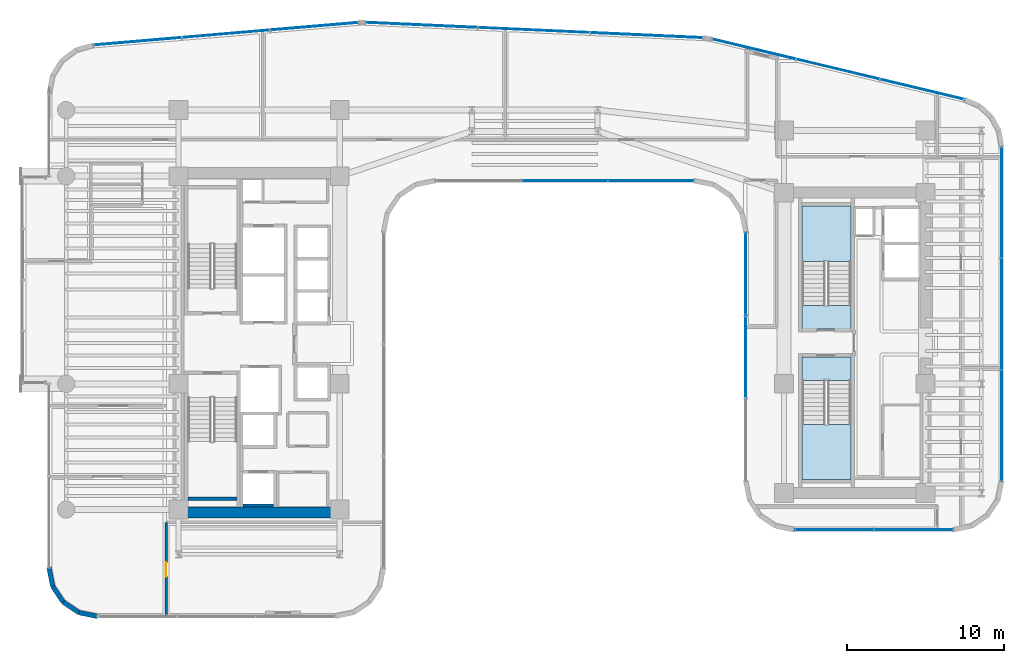
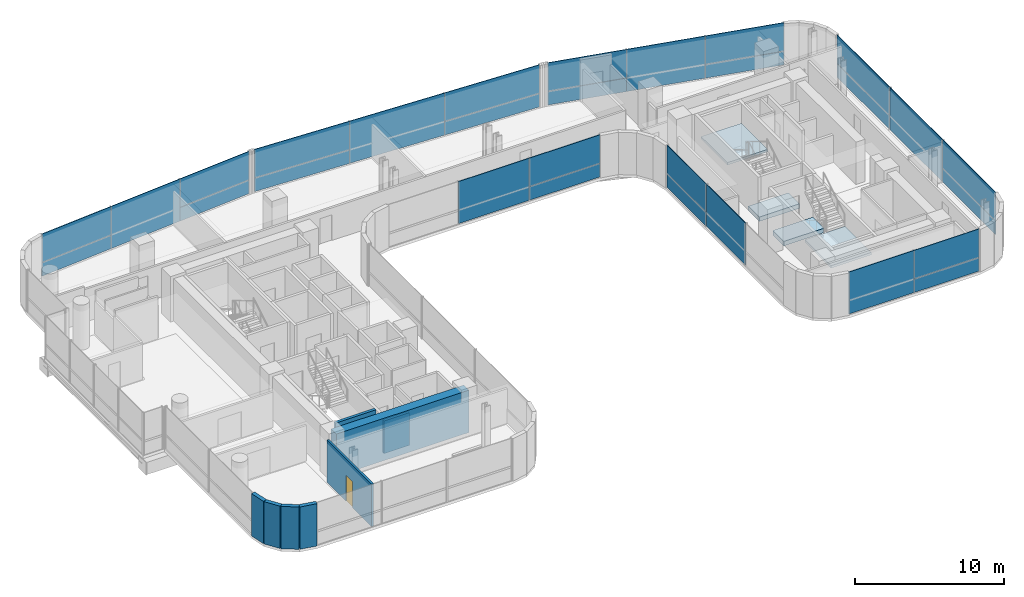
# One storey, part 25 of 34: 29 plates, 8 walls, 4 slabs, 1 door, 1 opening, 9 elements without a shape of their own.
"""IFC4 building model written with IfcOpenShell, lengths in metres."""

import ifcopenshell
import ifcopenshell.guid

model = None  # the IFC model being written
_history = None  # IfcOwnerHistory: only IFC2X3 demands one
_inside = {}  # id of a spatial element -> (the spatial element, [elements in it])
_under = {}  # id of a project, library or spatial element -> (it, [spatial elements below it])
_declared = {}  # id of a project -> (the project, [libraries it declares])
_typed = {}  # id of a type object -> (the type object, [elements of that type])
_made_of = {}  # id of a material, layer set ... -> (it, [elements and type objects made of it])


def new_model(schema):
    """Start an empty IFC model of exactly this schema.

    Asked for "IFC4X3", IfcOpenShell would pick the latest addendum, in which some entities
    have other attributes; the version numbers below select the first issue.
    IFC2X3 requires an IfcOwnerHistory on every rooted entity: one is made here for all.
    """
    global model, _history
    if schema == "IFC4X3":
        model = ifcopenshell.file(schema_version=(4, 3, 0, 0))
    else:
        model = ifcopenshell.file(schema=schema)
    _inside.clear()
    _under.clear()
    _declared.clear()
    _typed.clear()
    _made_of.clear()
    _history = None
    if model.schema == "IFC2X3":
        org = make("IfcOrganization", Name="unknown")
        user = make(
            "IfcPersonAndOrganization",
            ThePerson=make("IfcPerson", FamilyName="unknown"),
            TheOrganization=org,
        )
        app = make(
            "IfcApplication",
            ApplicationDeveloper=org,
            Version="unknown",
            ApplicationFullName="unknown",
            ApplicationIdentifier="unknown",
        )
        _history = make(
            "IfcOwnerHistory",
            OwningUser=user,
            OwningApplication=app,
            ChangeAction="ADDED",
            CreationDate=0,
        )
    return model


def make(cls, **values):
    """One entity of the class cls with the attributes given. An attribute that is None is left unset."""
    return model.create_entity(
        cls, **{name: value for name, value in values.items() if value is not None}
    )


def rooted(cls, **values):
    """An entity with a GlobalId (a new one), such as an element, a storey or a relation."""
    return make(cls, GlobalId=ifcopenshell.guid.new(), OwnerHistory=_history, **values)


def si_unit(unit_type, name, prefix=None):
    """IfcSIUnit, for example si_unit("LENGTHUNIT", "METRE", prefix="MILLI")."""
    return make("IfcSIUnit", UnitType=unit_type, Prefix=prefix, Name=name)


def assignment(units):
    """IfcUnitAssignment: the units of a project."""
    return None if units is None else make("IfcUnitAssignment", Units=units)


def point(xyz):
    """IfcCartesianPoint."""
    return None if xyz is None else make("IfcCartesianPoint", Coordinates=xyz)


def direction(xyz):
    """IfcDirection."""
    return None if xyz is None else make("IfcDirection", DirectionRatios=xyz)


def frame(location, z_axis=None, x_axis=None):
    """IfcAxis2Placement3D, a coordinate frame: its origin and axes. An axis left out is left unset."""
    return make(
        "IfcAxis2Placement3D",
        Location=point(location),
        Axis=direction(z_axis),
        RefDirection=direction(x_axis),
    )


def frame_2d(location, x_axis=None):
    """IfcAxis2Placement2D, a coordinate frame in the plane: its origin and x axis."""
    return make(
        "IfcAxis2Placement2D", Location=point(location), RefDirection=direction(x_axis)
    )


def origin():
    """The frame at (0, 0, 0) with its axes left unset."""
    return frame((0.0, 0.0, 0.0))


def origin_2d():
    """The frame at (0, 0) in the plane with its x axis left unset."""
    return frame_2d((0.0, 0.0))


def place(relative_to, where):
    """IfcLocalPlacement: puts the frame where relative to a parent placement (None: the world)."""
    return make(
        "IfcLocalPlacement", PlacementRelTo=relative_to, RelativePlacement=where
    )


def context(
    kind, dimensions, precision=None, world=None, true_north=None, identifier=None
):
    """IfcGeometricRepresentationContext, for example the 3D "Model" context."""
    return make(
        "IfcGeometricRepresentationContext",
        ContextIdentifier=identifier,
        ContextType=kind,
        CoordinateSpaceDimension=dimensions,
        Precision=precision,
        WorldCoordinateSystem=world,
        TrueNorth=true_north,
    )


def subcontext(parent, identifier, kind, view, scale=None):
    """IfcGeometricRepresentationSubContext, for example "Body" below "Model"."""
    return make(
        "IfcGeometricRepresentationSubContext",
        ContextIdentifier=identifier,
        ContextType=kind,
        ParentContext=parent,
        TargetScale=scale,
        TargetView=view,
    )


def project(units=None, contexts=None):
    """IfcProject with its units and contexts."""
    return rooted(
        "IfcProject",
        Name="project",
        RepresentationContexts=contexts,
        UnitsInContext=assignment(units),
    )


def spatial(cls, under=None, at=None, **own):
    """A site, building, storey or space (cls), placed at a placement, below another one or the project."""
    s = rooted(cls, ObjectPlacement=at, **own)
    if under is not None:
        _under.setdefault(under.id(), (under, []))[1].append(s)
    return s


def polyline(points):
    """IfcPolyline through the points."""
    return make("IfcPolyline", Points=[point(p) for p in points])


def profile(cls, at=None, kind="AREA", **sizes):
    """A parametric profile (cls). Its sizes go by their IFC names, for example OverallWidth=200.0."""
    return make(cls, ProfileType=kind, Position=at, **sizes)


def rectangle(**sizes):
    """IfcRectangleProfileDef."""
    return profile("IfcRectangleProfileDef", **sizes)


def outline(outer, holes=None, kind="AREA"):
    """IfcArbitraryClosedProfileDef: a profile drawn as a closed curve; with holes, ...WithVoids."""
    if holes is None:
        return make("IfcArbitraryClosedProfileDef", ProfileType=kind, OuterCurve=outer)
    return make(
        "IfcArbitraryProfileDefWithVoids",
        ProfileType=kind,
        OuterCurve=outer,
        InnerCurves=holes,
    )


def extrude(swept, where, along, depth):
    """IfcExtrudedAreaSolid: the profile swept, set in the frame where, extruded along a direction by depth."""
    return make(
        "IfcExtrudedAreaSolid",
        SweptArea=swept,
        Position=where,
        ExtrudedDirection=direction(along),
        Depth=depth,
    )


def shape(context_of_items, identifier, shape_type, items):
    """IfcShapeRepresentation: the items that make up one representation, for example the "Body"."""
    return make(
        "IfcShapeRepresentation",
        ContextOfItems=context_of_items,
        RepresentationIdentifier=identifier,
        RepresentationType=shape_type,
        Items=items,
    )


def source(mapping_origin, context_of_items, identifier, shape_type, items):
    """IfcRepresentationMap: a shape defined once, which mapped items show again and again."""
    return make(
        "IfcRepresentationMap",
        MappingOrigin=mapping_origin,
        MappedRepresentation=shape(context_of_items, identifier, shape_type, items),
    )


def transform(
    local_origin,
    x_axis=None,
    y_axis=None,
    z_axis=None,
    scale=None,
    scale2=None,
    scale3=None,
    uniform=True,
):
    """IfcCartesianTransformationOperator3D, or its non-uniform kind. x_axis, y_axis, z_axis: its Axis1, 2, 3."""
    if uniform:
        return make(
            "IfcCartesianTransformationOperator3D",
            Axis1=direction(x_axis),
            Axis2=direction(y_axis),
            LocalOrigin=point(local_origin),
            Scale=scale,
            Axis3=direction(z_axis),
        )
    return make(
        "IfcCartesianTransformationOperator3DnonUniform",
        Axis1=direction(x_axis),
        Axis2=direction(y_axis),
        LocalOrigin=point(local_origin),
        Scale=scale,
        Axis3=direction(z_axis),
        Scale2=scale2,
        Scale3=scale3,
    )


def mapped(mapping_source, mapping_target):
    """IfcMappedItem: shows the shape of a source again, moved by a transform."""
    return make(
        "IfcMappedItem", MappingSource=mapping_source, MappingTarget=mapping_target
    )


def material(Name=None, Category=None):
    """IfcMaterial."""
    return make("IfcMaterial", Name=Name, Category=Category)


def layer(
    of_material, thickness, ventilated=None, Name=None, Category=None, Priority=None
):
    """IfcMaterialLayer: one layer of a wall or slab, of a material (None: an air gap)."""
    return make(
        "IfcMaterialLayer",
        Material=of_material,
        LayerThickness=thickness,
        IsVentilated=ventilated,
        Name=Name,
        Category=Category,
        Priority=Priority,
    )


def layer_set(layers, Name=None):
    """IfcMaterialLayerSet."""
    return make("IfcMaterialLayerSet", MaterialLayers=layers, LayerSetName=Name)


def made_of(thing, what):
    """Note that an element or type object is made of a material, layer set ...; save() writes the relation."""
    if what is not None:
        _made_of.setdefault(what.id(), (what, []))[1].append(thing)
    return thing


def type_object(cls, material=None, **own):
    """A type object (cls), such as IfcWallType, which elements share."""
    return made_of(rooted(cls, **own), material)


def element(
    cls,
    number,
    at=None,
    inside=None,
    cuts=None,
    type_object=None,
    material=None,
    context=None,
    identifier="Body",
    shape_type=None,
    held_by="IfcProductDefinitionShape",
    body=None,
    shapes=None,
    **own,
):
    """One element of the class cls, such as IfcWall. Its Tag is "e" and its number.

    at: its placement. inside: the storey or other place that contains it. cuts: it is an
    opening in that element (IfcRelVoidsElement). A single representation is given by context,
    identifier, shape_type and body (its items); several are given by shapes. held_by: the class
    of the entity that holds the representations. save() writes the other relations.
    """
    e = rooted(cls, Tag="e%d" % number, ObjectPlacement=at, **own)
    if body is not None:
        shapes = [shape(context, identifier, shape_type, body)]
    if shapes is not None:
        e.Representation = make(held_by, Representations=shapes)
    if inside is not None:
        _inside.setdefault(inside.id(), (inside, []))[1].append(e)
    if cuts is not None:
        rooted(
            "IfcRelVoidsElement", RelatingBuildingElement=cuts, RelatedOpeningElement=e
        )
    if type_object is not None:
        _typed.setdefault(type_object.id(), (type_object, []))[1].append(e)
    return made_of(e, material)


def fill(opening, filler):
    """IfcRelFillsElement: the door or window that sits in an opening."""
    return rooted(
        "IfcRelFillsElement",
        RelatingOpeningElement=opening,
        RelatedBuildingElement=filler,
    )


def aggregate(whole, parts):
    """IfcRelAggregates: a whole, such as a stair, and the parts it consists of."""
    return rooted("IfcRelAggregates", RelatingObject=whole, RelatedObjects=parts)


def save(model, path):
    """Write the relations noted so far, then the file.

    IfcRelAggregates (storeys below a building ...), IfcRelContainedInSpatialStructure (elements
    in a storey), IfcRelDefinesByType, IfcRelAssociatesMaterial and IfcRelDeclares: one each for
    every whole, place, type object, material and project.
    """
    for whole, parts in _under.values():
        aggregate(whole, parts)
    for where, things in _inside.values():
        rooted(
            "IfcRelContainedInSpatialStructure",
            RelatedElements=things,
            RelatingStructure=where,
        )
    for kind, things in _typed.values():
        rooted("IfcRelDefinesByType", RelatedObjects=things, RelatingType=kind)
    for what, things in _made_of.values():
        rooted("IfcRelAssociatesMaterial", RelatedObjects=things, RelatingMaterial=what)
    for by, libraries in _declared.values():
        rooted("IfcRelDeclares", RelatingContext=by, RelatedDefinitions=libraries)
    model.write(path)


model = new_model("IFC4")

# Units and contexts
model_context = context("Model", 3, precision=1e-05, world=origin(), true_north=direction((0.0, 1.0)))
body_context = subcontext(model_context, "Body", "Model", "MODEL_VIEW")
ifc_project = project(units=[si_unit("LENGTHUNIT", "METRE"), si_unit("AREAUNIT", "SQUARE_METRE"), si_unit("VOLUMEUNIT", "CUBIC_METRE"), si_unit("PLANEANGLEUNIT", "RADIAN"), si_unit("MASSUNIT", "GRAM", prefix="KILO")], contexts=[model_context])

# Site, building, storey
site_placement = place(None, origin())
site = spatial("IfcSite", under=ifc_project, at=site_placement, CompositionType="ELEMENT")
building_placement = place(site_placement, origin())
building = spatial("IfcBuilding", under=site, at=building_placement, Name="Valdorenza Pilgrim Sanctuary Tower", CompositionType="ELEMENT")
storey_placement = place(building_placement, frame((0.0, 0.0, 142.699951171875)))
storey = spatial("IfcBuildingStorey", under=building, at=storey_placement, Name="L36", CompositionType="ELEMENT", Elevation=142.699951171875)

# Stair, slab
ifc_material_1 = material(Name="Concrete C40/50", Category="concrete")
stair_type = type_object("IfcStairType", Name="STR-DOG-CORE", PredefinedType="HALF_TURN_STAIR", material=ifc_material_1)
stair_1_placement = place(storey_placement, origin())
stair_1 = element("IfcStair", 1, at=stair_1_placement, inside=storey, type_object=stair_type, Name="L36 ST-B1", PredefinedType="HALF_TURN_STAIR")
ifc_layer_1 = layer(ifc_material_1, 0.199951171875, Name="Concrete C40/50")
ifc_layer_set_1 = layer_set([ifc_layer_1], Name="Concrete C40/50")
slab_type_1 = type_object("IfcSlabType", Name="SLAB-STL-200", PredefinedType="LANDING", material=ifc_layer_set_1)
slab_1_placement = place(storey_placement, frame((0.0, 0.0, 1.650146484375)))
slab_1 = element("IfcSlab", 2, at=slab_1_placement, type_object=slab_type_1, Name="ST-B1 landing 1", PredefinedType="LANDING", context=body_context, shape_type="SweptSolid", body=[
    extrude(outline(polyline([(20.110107421875, 5.179931640625), (20.110107421875, 8.699951171875), (17.0, 8.699951171875), (17.0, 5.179931640625), (20.110107421875, 5.179931640625)])), origin(), (0.0, 0.0, 1.0), 0.199951171875),
])
aggregate(stair_1, [slab_1])

stair_2_placement = place(storey_placement, origin())
stair_2 = element("IfcStair", 3, at=stair_2_placement, inside=storey, type_object=stair_type, Name="L36 ST-B2", PredefinedType="HALF_TURN_STAIR")
slab_2_placement = place(storey_placement, frame((0.0, 0.0, 1.650146484375)))
slab_2 = element("IfcSlab", 4, at=slab_2_placement, type_object=slab_type_1, Name="ST-B2 landing 1", PredefinedType="LANDING", context=body_context, shape_type="SweptSolid", body=[
    extrude(outline(polyline([(17.0, -5.179931640625), (17.0, -8.699951171875), (20.110107421875, -8.699951171875), (20.110107421875, -5.179931640625), (17.0, -5.179931640625)])), origin(), (0.0, 0.0, 1.0), 0.199951171875),
])
aggregate(stair_2, [slab_2])

# Slabs
ifc_material_2 = material(Name="Concrete C50/60", Category="concrete")
ifc_layer_2 = layer(ifc_material_2, 0.39990234375, Name="Concrete C50/60")
ifc_layer_set_2 = layer_set([ifc_layer_2], Name="Concrete C50/60")
slab_type_2 = type_object("IfcSlabType", Name="SLAB-TRF-400", PredefinedType="FLOOR", material=ifc_layer_set_2)
slab_3_placement = place(storey_placement, frame((0.0, 0.0, -0.35986328125)))
element("IfcSlab", 5, at=slab_3_placement, inside=storey, type_object=slab_type_2, Name="L36 ST-B1 Structural Stair Landing Bearing Slab", PredefinedType="FLOOR", context=body_context, shape_type="SweptSolid", body=[
    extrude(outline(polyline([(17.0, 0.89990234375), (20.110107421875, 0.89990234375), (20.110107421875, 2.385009765625), (17.0, 2.385009765625), (17.0, 0.89990234375)])), origin(), (0.0, 0.0, 1.0), 0.35986328125),
])
slab_4_placement = place(storey_placement, frame((0.0, 0.0, -0.35986328125)))
element("IfcSlab", 6, at=slab_4_placement, inside=storey, type_object=slab_type_2, Name="L36 ST-B2 Structural Stair Landing Bearing Slab", PredefinedType="FLOOR", context=body_context, shape_type="SweptSolid", body=[
    extrude(outline(polyline([(17.0, -2.385009765625), (20.110107421875, -2.385009765625), (20.110107421875, -0.89990234375), (17.0, -0.89990234375), (17.0, -2.385009765625)])), origin(), (0.0, 0.0, 1.0), 0.35986328125),
])

# Curtain wall, plates
ifc_material_3 = material(Name="Curtain-wall IGU glazing", Category="glass")
curtain_wall_type_1 = type_object("IfcCurtainWallType", Name="CW-SYS-02", PredefinedType="NOTDEFINED", material=ifc_material_3)
curtain_wall_1_placement = place(storey_placement, origin())
curtain_wall_1 = element("IfcCurtainWall", 7, at=curtain_wall_1_placement, inside=storey, type_object=curtain_wall_type_1, Name="L36 Curtain Wall CW-L36-1-36", PredefinedType="NOTDEFINED")
ifc_material_4 = material(Name="Honed travertine limestone", Category="masonry")
ifc_layer_3 = layer(ifc_material_4, 0.050048828125, Name="Honed travertine limestone")
ifc_layer_set_3 = layer_set([ifc_layer_3], Name="Honed travertine limestone")
plate_type_1 = type_object("IfcPlateType", Name="CW-SPN-TRV", PredefinedType="USERDEFINED", material=ifc_layer_set_3)
shared_shape_1 = source(origin(), body_context, "Body", "SweptSolid", [
    extrude(rectangle(XDim=5.453857421875, YDim=0.06005859375, at=origin_2d()), origin(), (0.0, 0.0, 1.0), 1.10009765625),
])
plate_1_placement = place(storey_placement, frame((7.373779296875, 10.31005859375, 0.010009765625), z_axis=(0.0, 0.0, 1.0), x_axis=(-1.0, 0.0, 0.0)))
plate_1 = element("IfcPlate", 8, at=plate_1_placement, type_object=plate_type_1, Name="CW-L36-1-36 Travertine Spandrel 1", ObjectType="SPANDREL", PredefinedType="USERDEFINED", context=body_context, shape_type="MappedRepresentation", body=[
    mapped(shared_shape_1, transform((0.0, 0.0, 0.0), x_axis=(1.0, 0.0, 0.0), y_axis=(0.0, 1.0, 0.0), z_axis=(0.0, 0.0, 1.0), scale=1.0)),
])
ifc_material_5 = material(Name="Ceramic-fritted low-E IGU glazing", Category="glass")
ifc_layer_4 = layer(ifc_material_5, 0.035888671875, Name="Ceramic-fritted low-E IGU glazing")
ifc_layer_set_4 = layer_set([ifc_layer_4], Name="Ceramic-fritted low-E IGU glazing")
plate_type_2 = type_object("IfcPlateType", Name="CW-GLZ-IGU", PredefinedType="USERDEFINED", material=ifc_layer_set_4)
shared_shape_2 = source(origin(), body_context, "Body", "SweptSolid", [
    extrude(rectangle(XDim=5.453857421875, YDim=0.050048828125, at=origin_2d()), origin(), (0.0, 0.0, 1.0), 2.320068359375),
])
plate_2_placement = place(storey_placement, frame((7.373779296875, 10.31005859375, 1.1298828125), z_axis=(0.0, 0.0, 1.0), x_axis=(-1.0, 0.0, 0.0)))
plate_2 = element("IfcPlate", 9, at=plate_2_placement, type_object=plate_type_2, Name="CW-L36-1-36 Facade Panel 1", ObjectType="GLAZING", PredefinedType="USERDEFINED", context=body_context, shape_type="MappedRepresentation", body=[
    mapped(shared_shape_2, transform((0.0, 0.0, 0.0), x_axis=(1.0, 0.0, 0.0), y_axis=(0.0, 1.0, 0.0), z_axis=(0.0, 0.0, 1.0), scale=1.0)),
])
shared_shape_3 = source(origin(), body_context, "Body", "SweptSolid", [
    extrude(rectangle(XDim=5.453857421875, YDim=0.050048828125, at=origin_2d()), origin(), (0.0, 0.0, 1.0), 3.43994140625),
])
plate_3_placement = place(storey_placement, frame((1.89990234375, 10.31005859375, 0.010009765625), z_axis=(0.0, 0.0, 1.0), x_axis=(-1.0, 0.0, 0.0)))
plate_3 = element("IfcPlate", 10, at=plate_3_placement, type_object=plate_type_2, Name="CW-L36-1-36 Full-Height Facade Panel 2", ObjectType="GLAZING", PredefinedType="USERDEFINED", context=body_context, shape_type="MappedRepresentation", body=[
    mapped(shared_shape_3, transform((0.0, 0.0, 0.0), x_axis=(1.0, 0.0, 0.0), y_axis=(0.0, 1.0, 0.0), z_axis=(0.0, 0.0, 1.0), scale=1.0)),
])
aggregate(curtain_wall_1, [plate_1, plate_2, plate_3])

curtain_wall_2_placement = place(storey_placement, origin())
curtain_wall_2 = element("IfcCurtainWall", 11, at=curtain_wall_2_placement, inside=storey, type_object=curtain_wall_type_1, Name="L36 Curtain Wall CW-L36-1-6", PredefinedType="NOTDEFINED")
shared_shape_4 = source(origin(), body_context, "Body", "SweptSolid", [
    extrude(rectangle(XDim=5.61767578125, YDim=0.06005859375, at=origin_2d()), origin(), (0.0, 0.0, 1.0), 1.10009765625),
])
plate_4_placement = place(storey_placement, frame((-25.242919921875, 19.178955078125, 0.010009765625), z_axis=(0.0, 0.0, 1.0), x_axis=(0.99640764237, 0.084686541006, 0.0)))
plate_4 = element("IfcPlate", 12, at=plate_4_placement, type_object=plate_type_1, Name="CW-L36-1-6 Travertine Spandrel 1", ObjectType="SPANDREL", PredefinedType="USERDEFINED", context=body_context, shape_type="MappedRepresentation", body=[
    mapped(shared_shape_4, transform((0.0, 0.0, 0.0), x_axis=(1.0, 0.0, 0.0), y_axis=(0.0, 1.0, 0.0), z_axis=(0.0, 0.0, 1.0), scale=1.0)),
])
plate_5_placement = place(storey_placement, frame((-14.008056640625, 20.1337890625, 0.010009765625), z_axis=(0.0, 0.0, 1.0), x_axis=(0.99640764237, 0.084686541006, 0.0)))
plate_5 = element("IfcPlate", 13, at=plate_5_placement, type_object=plate_type_1, Name="CW-L36-1-6 Travertine Spandrel 3", ObjectType="SPANDREL", PredefinedType="USERDEFINED", context=body_context, shape_type="MappedRepresentation", body=[
    mapped(shared_shape_4, transform((0.0, 0.0, 0.0), x_axis=(1.0, 0.0, 0.0), y_axis=(0.0, 1.0, 0.0), z_axis=(0.0, 0.0, 1.0), scale=1.0)),
])

curtain_wall_3_placement = place(storey_placement, origin())
curtain_wall_3 = element("IfcCurtainWall", 14, at=curtain_wall_3_placement, inside=storey, type_object=curtain_wall_type_1, Name="L36 Curtain Wall CW-L36-1-11", PredefinedType="NOTDEFINED")
shared_shape_5 = source(origin(), body_context, "Body", "SweptSolid", [
    extrude(rectangle(XDim=7.1494140625, YDim=0.06005859375, at=origin_2d()), origin(), (0.0, 0.0, 1.0), 1.10009765625),
])
plate_6_placement = place(storey_placement, frame((-7.21484375, 20.2177734375, 0.010009765625), z_axis=(0.0, 0.0, 1.0), x_axis=(0.998968193221, -0.045415294044, 0.0)))
plate_6 = element("IfcPlate", 15, at=plate_6_placement, type_object=plate_type_1, Name="CW-L36-1-11 Travertine Spandrel 1", ObjectType="SPANDREL", PredefinedType="USERDEFINED", context=body_context, shape_type="MappedRepresentation", body=[
    mapped(shared_shape_5, transform((0.0, 0.0, 0.0), x_axis=(1.0, 0.0, 0.0), y_axis=(0.0, 1.0, 0.0), z_axis=(0.0, 0.0, 1.0), scale=1.0)),
])
plate_7_placement = place(storey_placement, frame((7.10888671875, 19.56689453125, 0.010009765625), z_axis=(0.0, 0.0, 1.0), x_axis=(0.998968193221, -0.045415294044, 0.0)))
plate_7 = element("IfcPlate", 16, at=plate_7_placement, type_object=plate_type_1, Name="CW-L36-1-11 Travertine Spandrel 3", ObjectType="SPANDREL", PredefinedType="USERDEFINED", context=body_context, shape_type="MappedRepresentation", body=[
    mapped(shared_shape_5, transform((0.0, 0.0, 0.0), x_axis=(1.0, 0.0, 0.0), y_axis=(0.0, 1.0, 0.0), z_axis=(0.0, 0.0, 1.0), scale=1.0)),
])

curtain_wall_type_2 = type_object("IfcCurtainWallType", Name="CW-SYS-03", PredefinedType="NOTDEFINED", material=ifc_material_3)
curtain_wall_4_placement = place(storey_placement, origin())
curtain_wall_4 = element("IfcCurtainWall", 17, at=curtain_wall_4_placement, inside=storey, type_object=curtain_wall_type_2, Name="L36 Curtain Wall CW-L36-1-16", PredefinedType="NOTDEFINED")
shared_shape_6 = source(origin(), body_context, "Body", "SweptSolid", [
    extrude(rectangle(XDim=5.477294921875, YDim=0.06005859375, at=origin_2d()), origin(), (0.0, 0.0, 1.0), 1.10009765625),
])
plate_8_placement = place(storey_placement, frame((13.944580078125, 18.68212890625, 0.010009765625), z_axis=(0.0, 0.0, 1.0), x_axis=(0.972528596343, -0.232783438617, 0.0)))
plate_8 = element("IfcPlate", 18, at=plate_8_placement, type_object=plate_type_1, Name="CW-L36-1-16 Travertine Spandrel 1", ObjectType="SPANDREL", PredefinedType="USERDEFINED", context=body_context, shape_type="MappedRepresentation", body=[
    mapped(shared_shape_6, transform((0.0, 0.0, 0.0), x_axis=(1.0, 0.0, 0.0), y_axis=(0.0, 1.0, 0.0), z_axis=(0.0, 0.0, 1.0), scale=1.0)),
])
plate_9_placement = place(storey_placement, frame((24.63720703125, 16.122802734375, 0.010009765625), z_axis=(0.0, 0.0, 1.0), x_axis=(0.972528596343, -0.232783438617, 0.0)))
plate_9 = element("IfcPlate", 19, at=plate_9_placement, type_object=plate_type_1, Name="CW-L36-1-16 Travertine Spandrel 3", ObjectType="SPANDREL", PredefinedType="USERDEFINED", context=body_context, shape_type="MappedRepresentation", body=[
    mapped(shared_shape_6, transform((0.0, 0.0, 0.0), x_axis=(1.0, 0.0, 0.0), y_axis=(0.0, 1.0, 0.0), z_axis=(0.0, 0.0, 1.0), scale=1.0)),
])

curtain_wall_5_placement = place(storey_placement, origin())
curtain_wall_5 = element("IfcCurtainWall", 20, at=curtain_wall_5_placement, inside=storey, type_object=curtain_wall_type_2, Name="L36 Curtain Wall CW-L36-1-21", PredefinedType="NOTDEFINED")
shared_shape_7 = source(origin(), body_context, "Body", "SweptSolid", [
    extrude(rectangle(XDim=7.065185546875, YDim=0.06005859375, at=origin_2d()), origin(), (0.0, 0.0, 1.0), 1.10009765625),
])
plate_10_placement = place(storey_placement, frame((29.68994140625, 8.923828125, 0.010009765625), z_axis=(0.0, 0.0, 1.0), x_axis=(0.0, -1.0, 0.0)))
plate_10 = element("IfcPlate", 21, at=plate_10_placement, type_object=plate_type_1, Name="CW-L36-1-21 Travertine Spandrel 1", ObjectType="SPANDREL", PredefinedType="USERDEFINED", context=body_context, shape_type="MappedRepresentation", body=[
    mapped(shared_shape_7, transform((0.0, 0.0, 0.0), x_axis=(1.0, 0.0, 0.0), y_axis=(0.0, 1.0, 0.0), z_axis=(0.0, 0.0, 1.0), scale=1.0)),
])
plate_11_placement = place(storey_placement, frame((29.68994140625, -5.24658203125, 0.010009765625), z_axis=(0.0, 0.0, 1.0), x_axis=(0.0, -1.0, 0.0)))
plate_11 = element("IfcPlate", 22, at=plate_11_placement, type_object=plate_type_1, Name="CW-L36-1-21 Travertine Spandrel 3", ObjectType="SPANDREL", PredefinedType="USERDEFINED", context=body_context, shape_type="MappedRepresentation", body=[
    mapped(shared_shape_7, transform((0.0, 0.0, 0.0), x_axis=(1.0, 0.0, 0.0), y_axis=(0.0, 1.0, 0.0), z_axis=(0.0, 0.0, 1.0), scale=1.0)),
])

# Curtain wall, plate
curtain_wall_6_placement = place(storey_placement, origin())
curtain_wall_6 = element("IfcCurtainWall", 23, at=curtain_wall_6_placement, inside=storey, type_object=curtain_wall_type_2, Name="L36 Curtain Wall CW-L36-1-26", PredefinedType="NOTDEFINED")
shared_shape_8 = source(origin(), body_context, "Body", "SweptSolid", [
    extrude(rectangle(XDim=5.019287109375, YDim=0.06005859375, at=origin_2d()), origin(), (0.0, 0.0, 1.0), 1.10009765625),
])
plate_12_placement = place(storey_placement, frame((24.069580078125, -11.889892578125, 0.010009765625), z_axis=(0.0, 0.0, 1.0), x_axis=(-1.0, 0.0, 0.0)))
plate_12 = element("IfcPlate", 24, at=plate_12_placement, type_object=plate_type_1, Name="CW-L36-1-26 Travertine Spandrel 1", ObjectType="SPANDREL", PredefinedType="USERDEFINED", context=body_context, shape_type="MappedRepresentation", body=[
    mapped(shared_shape_8, transform((0.0, 0.0, 0.0), x_axis=(1.0, 0.0, 0.0), y_axis=(0.0, 1.0, 0.0), z_axis=(0.0, 0.0, 1.0), scale=1.0)),
])

curtain_wall_7_placement = place(storey_placement, origin())
curtain_wall_7 = element("IfcCurtainWall", 25, at=curtain_wall_7_placement, inside=storey, type_object=curtain_wall_type_2, Name="L36 Curtain Wall CW-L36-1-31", PredefinedType="NOTDEFINED")
shared_shape_9 = source(origin(), body_context, "Body", "SweptSolid", [
    extrude(rectangle(XDim=5.24658203125, YDim=0.06005859375, at=origin_2d()), origin(), (0.0, 0.0, 1.0), 1.10009765625),
])
plate_13_placement = place(storey_placement, frame((13.409912109375, 4.37744140625, 0.010009765625), z_axis=(0.0, 0.0, 1.0), x_axis=(0.0, 1.0, 0.0)))
plate_13 = element("IfcPlate", 26, at=plate_13_placement, type_object=plate_type_1, Name="CW-L36-1-31 Travertine Spandrel 3", ObjectType="SPANDREL", PredefinedType="USERDEFINED", context=body_context, shape_type="MappedRepresentation", body=[
    mapped(shared_shape_9, transform((0.0, 0.0, 0.0), x_axis=(1.0, 0.0, 0.0), y_axis=(0.0, 1.0, 0.0), z_axis=(0.0, 0.0, 1.0), scale=1.0)),
])

# Plate
shared_shape_10 = source(origin(), body_context, "Body", "SweptSolid", [
    extrude(rectangle(XDim=5.61767578125, YDim=0.050048828125, at=origin_2d()), origin(), (0.0, 0.0, 1.0), 3.43994140625),
])
plate_14_placement = place(storey_placement, frame((-19.62548828125, 19.656494140625, 0.010009765625), z_axis=(0.0, 0.0, 1.0), x_axis=(0.99640764237, 0.084686541006, 0.0)))
plate_14 = element("IfcPlate", 27, at=plate_14_placement, type_object=plate_type_2, Name="CW-L36-1-6 Full-Height Facade Panel 2", ObjectType="GLAZING", PredefinedType="USERDEFINED", context=body_context, shape_type="MappedRepresentation", body=[
    mapped(shared_shape_10, transform((0.0, 0.0, 0.0), x_axis=(1.0, 0.0, 0.0), y_axis=(0.0, 1.0, 0.0), z_axis=(0.0, 0.0, 1.0), scale=1.0)),
])

shared_shape_11 = source(origin(), body_context, "Body", "SweptSolid", [
    extrude(rectangle(XDim=5.61767578125, YDim=0.050048828125, at=origin_2d()), origin(), (0.0, 0.0, 1.0), 2.320068359375),
])
plate_15_placement = place(storey_placement, frame((-25.242919921875, 19.178955078125, 1.1298828125), z_axis=(0.0, 0.0, 1.0), x_axis=(0.99640764237, 0.084686541006, 0.0)))
plate_15 = element("IfcPlate", 28, at=plate_15_placement, type_object=plate_type_2, Name="CW-L36-1-6 Facade Panel 1", ObjectType="GLAZING", PredefinedType="USERDEFINED", context=body_context, shape_type="MappedRepresentation", body=[
    mapped(shared_shape_11, transform((0.0, 0.0, 0.0), x_axis=(1.0, 0.0, 0.0), y_axis=(0.0, 1.0, 0.0), z_axis=(0.0, 0.0, 1.0), scale=1.0)),
])

plate_16_placement = place(storey_placement, frame((-14.008056640625, 20.1337890625, 1.1298828125), z_axis=(0.0, 0.0, 1.0), x_axis=(0.99640764237, 0.084686541006, 0.0)))
plate_16 = element("IfcPlate", 29, at=plate_16_placement, type_object=plate_type_2, Name="CW-L36-1-6 Facade Panel 3", ObjectType="GLAZING", PredefinedType="USERDEFINED", context=body_context, shape_type="MappedRepresentation", body=[
    mapped(shared_shape_11, transform((0.0, 0.0, 0.0), x_axis=(1.0, 0.0, 0.0), y_axis=(0.0, 1.0, 0.0), z_axis=(0.0, 0.0, 1.0), scale=1.0)),
])

aggregate(curtain_wall_2, [plate_4, plate_15, plate_14, plate_5, plate_16])

shared_shape_12 = source(origin(), body_context, "Body", "SweptSolid", [
    extrude(rectangle(XDim=7.1494140625, YDim=0.050048828125, at=origin_2d()), origin(), (0.0, 0.0, 1.0), 3.43994140625),
])
plate_17_placement = place(storey_placement, frame((-0.052978515625, 19.892333984375, 0.010009765625), z_axis=(0.0, 0.0, 1.0), x_axis=(0.998968193221, -0.045415294044, 0.0)))
plate_17 = element("IfcPlate", 30, at=plate_17_placement, type_object=plate_type_2, Name="CW-L36-1-11 Full-Height Facade Panel 2", ObjectType="GLAZING", PredefinedType="USERDEFINED", context=body_context, shape_type="MappedRepresentation", body=[
    mapped(shared_shape_12, transform((0.0, 0.0, 0.0), x_axis=(1.0, 0.0, 0.0), y_axis=(0.0, 1.0, 0.0), z_axis=(0.0, 0.0, 1.0), scale=1.0)),
])

shared_shape_13 = source(origin(), body_context, "Body", "SweptSolid", [
    extrude(rectangle(XDim=7.1494140625, YDim=0.050048828125, at=origin_2d()), origin(), (0.0, 0.0, 1.0), 2.320068359375),
])
plate_18_placement = place(storey_placement, frame((-7.21484375, 20.2177734375, 1.1298828125), z_axis=(0.0, 0.0, 1.0), x_axis=(0.998968193221, -0.045415294044, 0.0)))
plate_18 = element("IfcPlate", 31, at=plate_18_placement, type_object=plate_type_2, Name="CW-L36-1-11 Facade Panel 1", ObjectType="GLAZING", PredefinedType="USERDEFINED", context=body_context, shape_type="MappedRepresentation", body=[
    mapped(shared_shape_13, transform((0.0, 0.0, 0.0), x_axis=(1.0, 0.0, 0.0), y_axis=(0.0, 1.0, 0.0), z_axis=(0.0, 0.0, 1.0), scale=1.0)),
])

plate_19_placement = place(storey_placement, frame((7.10888671875, 19.56689453125, 1.1298828125), z_axis=(0.0, 0.0, 1.0), x_axis=(0.998968193221, -0.045415294044, 0.0)))
plate_19 = element("IfcPlate", 32, at=plate_19_placement, type_object=plate_type_2, Name="CW-L36-1-11 Facade Panel 3", ObjectType="GLAZING", PredefinedType="USERDEFINED", context=body_context, shape_type="MappedRepresentation", body=[
    mapped(shared_shape_13, transform((0.0, 0.0, 0.0), x_axis=(1.0, 0.0, 0.0), y_axis=(0.0, 1.0, 0.0), z_axis=(0.0, 0.0, 1.0), scale=1.0)),
])

aggregate(curtain_wall_3, [plate_6, plate_18, plate_17, plate_7, plate_19])

shared_shape_14 = source(origin(), body_context, "Body", "SweptSolid", [
    extrude(rectangle(XDim=5.477294921875, YDim=0.050048828125, at=origin_2d()), origin(), (0.0, 0.0, 1.0), 3.43994140625),
])
plate_20_placement = place(storey_placement, frame((19.291015625, 17.40234375, 0.010009765625), z_axis=(0.0, 0.0, 1.0), x_axis=(0.972528596343, -0.232783438617, 0.0)))
plate_20 = element("IfcPlate", 33, at=plate_20_placement, type_object=plate_type_2, Name="CW-L36-1-16 Full-Height Facade Panel 2", ObjectType="GLAZING", PredefinedType="USERDEFINED", context=body_context, shape_type="MappedRepresentation", body=[
    mapped(shared_shape_14, transform((0.0, 0.0, 0.0), x_axis=(1.0, 0.0, 0.0), y_axis=(0.0, 1.0, 0.0), z_axis=(0.0, 0.0, 1.0), scale=1.0)),
])

shared_shape_15 = source(origin(), body_context, "Body", "SweptSolid", [
    extrude(rectangle(XDim=5.477294921875, YDim=0.050048828125, at=origin_2d()), origin(), (0.0, 0.0, 1.0), 2.320068359375),
])
plate_21_placement = place(storey_placement, frame((13.944580078125, 18.68212890625, 1.1298828125), z_axis=(0.0, 0.0, 1.0), x_axis=(0.972528596343, -0.232783438617, 0.0)))
plate_21 = element("IfcPlate", 34, at=plate_21_placement, type_object=plate_type_2, Name="CW-L36-1-16 Facade Panel 1", ObjectType="GLAZING", PredefinedType="USERDEFINED", context=body_context, shape_type="MappedRepresentation", body=[
    mapped(shared_shape_15, transform((0.0, 0.0, 0.0), x_axis=(1.0, 0.0, 0.0), y_axis=(0.0, 1.0, 0.0), z_axis=(0.0, 0.0, 1.0), scale=1.0)),
])

plate_22_placement = place(storey_placement, frame((24.63720703125, 16.122802734375, 1.1298828125), z_axis=(0.0, 0.0, 1.0), x_axis=(0.972528596343, -0.232783438617, 0.0)))
plate_22 = element("IfcPlate", 35, at=plate_22_placement, type_object=plate_type_2, Name="CW-L36-1-16 Facade Panel 3", ObjectType="GLAZING", PredefinedType="USERDEFINED", context=body_context, shape_type="MappedRepresentation", body=[
    mapped(shared_shape_15, transform((0.0, 0.0, 0.0), x_axis=(1.0, 0.0, 0.0), y_axis=(0.0, 1.0, 0.0), z_axis=(0.0, 0.0, 1.0), scale=1.0)),
])

aggregate(curtain_wall_4, [plate_8, plate_21, plate_20, plate_9, plate_22])

shared_shape_16 = source(origin(), body_context, "Body", "SweptSolid", [
    extrude(rectangle(XDim=7.065185546875, YDim=0.050048828125, at=origin_2d()), origin(), (0.0, 0.0, 1.0), 2.320068359375),
])
plate_23_placement = place(storey_placement, frame((29.68994140625, 8.923828125, 1.1298828125), z_axis=(0.0, 0.0, 1.0), x_axis=(0.0, -1.0, 0.0)))
plate_23 = element("IfcPlate", 36, at=plate_23_placement, type_object=plate_type_2, Name="CW-L36-1-21 Facade Panel 1", ObjectType="GLAZING", PredefinedType="USERDEFINED", context=body_context, shape_type="MappedRepresentation", body=[
    mapped(shared_shape_16, transform((0.0, 0.0, 0.0), x_axis=(1.0, 0.0, 0.0), y_axis=(0.0, 1.0, 0.0), z_axis=(0.0, 0.0, 1.0), scale=1.0)),
])

plate_24_placement = place(storey_placement, frame((29.68994140625, -5.24658203125, 1.1298828125), z_axis=(0.0, 0.0, 1.0), x_axis=(0.0, -1.0, 0.0)))
plate_24 = element("IfcPlate", 37, at=plate_24_placement, type_object=plate_type_2, Name="CW-L36-1-21 Facade Panel 3", ObjectType="GLAZING", PredefinedType="USERDEFINED", context=body_context, shape_type="MappedRepresentation", body=[
    mapped(shared_shape_16, transform((0.0, 0.0, 0.0), x_axis=(1.0, 0.0, 0.0), y_axis=(0.0, 1.0, 0.0), z_axis=(0.0, 0.0, 1.0), scale=1.0)),
])

shared_shape_17 = source(origin(), body_context, "Body", "SweptSolid", [
    extrude(rectangle(XDim=7.065185546875, YDim=0.050048828125, at=origin_2d()), origin(), (0.0, 0.0, 1.0), 3.43994140625),
])
plate_25_placement = place(storey_placement, frame((29.68994140625, 1.838623046875, 0.010009765625), z_axis=(0.0, 0.0, 1.0), x_axis=(0.0, -1.0, 0.0)))
plate_25 = element("IfcPlate", 38, at=plate_25_placement, type_object=plate_type_2, Name="CW-L36-1-21 Full-Height Facade Panel 2", ObjectType="GLAZING", PredefinedType="USERDEFINED", context=body_context, shape_type="MappedRepresentation", body=[
    mapped(shared_shape_17, transform((0.0, 0.0, 0.0), x_axis=(1.0, 0.0, 0.0), y_axis=(0.0, 1.0, 0.0), z_axis=(0.0, 0.0, 1.0), scale=1.0)),
])

aggregate(curtain_wall_5, [plate_10, plate_23, plate_25, plate_11, plate_24])

shared_shape_18 = source(origin(), body_context, "Body", "SweptSolid", [
    extrude(rectangle(XDim=5.019287109375, YDim=0.050048828125, at=origin_2d()), origin(), (0.0, 0.0, 1.0), 2.320068359375),
])
plate_26_placement = place(storey_placement, frame((24.069580078125, -11.889892578125, 1.1298828125), z_axis=(0.0, 0.0, 1.0), x_axis=(-1.0, 0.0, 0.0)))
plate_26 = element("IfcPlate", 39, at=plate_26_placement, type_object=plate_type_2, Name="CW-L36-1-26 Facade Panel 1", ObjectType="GLAZING", PredefinedType="USERDEFINED", context=body_context, shape_type="MappedRepresentation", body=[
    mapped(shared_shape_18, transform((0.0, 0.0, 0.0), x_axis=(1.0, 0.0, 0.0), y_axis=(0.0, 1.0, 0.0), z_axis=(0.0, 0.0, 1.0), scale=1.0)),
])

shared_shape_19 = source(origin(), body_context, "Body", "SweptSolid", [
    extrude(rectangle(XDim=5.019287109375, YDim=0.050048828125, at=origin_2d()), origin(), (0.0, 0.0, 1.0), 3.43994140625),
])
plate_27_placement = place(storey_placement, frame((19.030517578125, -11.889892578125, 0.010009765625), z_axis=(0.0, 0.0, 1.0), x_axis=(-1.0, 0.0, 0.0)))
plate_27 = element("IfcPlate", 40, at=plate_27_placement, type_object=plate_type_2, Name="CW-L36-1-26 Full-Height Facade Panel 2", ObjectType="GLAZING", PredefinedType="USERDEFINED", context=body_context, shape_type="MappedRepresentation", body=[
    mapped(shared_shape_19, transform((0.0, 0.0, 0.0), x_axis=(1.0, 0.0, 0.0), y_axis=(0.0, 1.0, 0.0), z_axis=(0.0, 0.0, 1.0), scale=1.0)),
])

aggregate(curtain_wall_6, [plate_12, plate_26, plate_27])

shared_shape_20 = source(origin(), body_context, "Body", "SweptSolid", [
    extrude(rectangle(XDim=5.24658203125, YDim=0.050048828125, at=origin_2d()), origin(), (0.0, 0.0, 1.0), 2.320068359375),
])
plate_28_placement = place(storey_placement, frame((13.409912109375, 4.37744140625, 1.1298828125), z_axis=(0.0, 0.0, 1.0), x_axis=(0.0, 1.0, 0.0)))
plate_28 = element("IfcPlate", 41, at=plate_28_placement, type_object=plate_type_2, Name="CW-L36-1-31 Facade Panel 3", ObjectType="GLAZING", PredefinedType="USERDEFINED", context=body_context, shape_type="MappedRepresentation", body=[
    mapped(shared_shape_20, transform((0.0, 0.0, 0.0), x_axis=(1.0, 0.0, 0.0), y_axis=(0.0, 1.0, 0.0), z_axis=(0.0, 0.0, 1.0), scale=1.0)),
])

shared_shape_21 = source(origin(), body_context, "Body", "SweptSolid", [
    extrude(rectangle(XDim=5.24658203125, YDim=0.050048828125, at=origin_2d()), origin(), (0.0, 0.0, 1.0), 3.43994140625),
])
plate_29_placement = place(storey_placement, frame((13.409912109375, -0.88916015625, 0.010009765625), z_axis=(0.0, 0.0, 1.0), x_axis=(0.0, 1.0, 0.0)))
plate_29 = element("IfcPlate", 42, at=plate_29_placement, type_object=plate_type_2, Name="CW-L36-1-31 Full-Height Facade Panel 2", ObjectType="GLAZING", PredefinedType="USERDEFINED", context=body_context, shape_type="MappedRepresentation", body=[
    mapped(shared_shape_21, transform((0.0, 0.0, 0.0), x_axis=(1.0, 0.0, 0.0), y_axis=(0.0, 1.0, 0.0), z_axis=(0.0, 0.0, 1.0), scale=1.0)),
])

aggregate(curtain_wall_7, [plate_29, plate_13, plate_28])

# Wall, opening, door
ifc_material_6 = material(Name="Acoustic twin-stud gypsum partition", Category="gypsum")
ifc_layer_5 = layer(ifc_material_6, 0.159912109375, Name="Acoustic twin-stud gypsum partition")
ifc_layer_set_5 = layer_set([ifc_layer_5], Name="Acoustic twin-stud gypsum partition")
wall_type_1 = type_object("IfcWallType", Name="WAL-COR-160", PredefinedType="PARTITIONING", material=ifc_layer_set_5)
wall_1_placement = place(storey_placement, frame((-23.449951171875, -17.389892578125, 0.0), z_axis=(0.0, 0.0, 1.0), x_axis=(0.0, 1.0, 0.0)))
wall_1 = element("IfcWall", 43, at=wall_1_placement, inside=storey, type_object=wall_type_1, Name="L36 South-East Pocket West Wall", PredefinedType="PARTITIONING", context=body_context, shape_type="SweptSolid", body=[
    extrude(rectangle(XDim=5.969970703125, YDim=0.159912109375, at=frame_2d((2.98486328125, 0.0))), origin(), (0.0, 0.0, 1.0), 3.4599609375),
])
opening_placement = place(wall_1_placement, frame((2.534912109375, 0.0, 0.0)))
opening = element("IfcOpeningElement", 44, at=opening_placement, cuts=wall_1, Name="Opening DR-RM1", PredefinedType="OPENING", context=body_context, shape_type="SweptSolid", body=[
    extrude(rectangle(XDim=0.89990234375, YDim=2.10009765625, at=frame_2d((0.449951171875, 1.050048828125))), frame((0.0, 0.0947265625, 0.0), z_axis=(0.0, -1.0, 0.0), x_axis=(1.0, 0.0, 0.0)), (0.0, 0.0, 1.0), 0.189697265625),
])
ifc_material_7 = material(Name="Solid-core European oak timber", Category="wood")
door_type = type_object("IfcDoorType", Name="DR-ROOM-900", OperationType="NOTDEFINED", PredefinedType="DOOR", material=ifc_material_7)
door_placement = place(opening_placement, frame((0.89990234375, 0.0, 0.0), z_axis=(0.0, 0.0, 1.0), x_axis=(-1.0, 0.0, 0.0)))
door = element("IfcDoor", 45, at=door_placement, inside=storey, type_object=door_type, Name="L36 South Panoramic Viewing Salon L36 Door", OperationType="SINGLE_SWING_LEFT", OverallHeight=2.10009765625, OverallWidth=0.89990234375, PredefinedType="DOOR", context=body_context, shape_type="SweptSolid", body=[
    extrude(rectangle(XDim=0.89990234375, YDim=2.10009765625, at=frame_2d((0.449951171875, 1.050048828125))), frame((0.0, 0.02490234375, 0.0), z_axis=(0.0, -1.0, 0.0), x_axis=(1.0, 0.0, 0.0)), (0.0, 0.0, 1.0), 0.050048828125),
])
fill(opening, door)

# Walls
ifc_material_8 = material(Name="Concrete C60/75", Category="concrete")
ifc_layer_6 = layer(ifc_material_8, 0.699951171875, Name="Concrete C60/75")
ifc_layer_set_6 = layer_set([ifc_layer_6], Name="Concrete C60/75")
wall_type_2 = type_object("IfcWallType", Name="WAL-COR-700", PredefinedType="SHEAR", material=ifc_layer_set_6)
wall_2_placement = place(storey_placement, frame((-22.64990234375, -10.800048828125, 0.0), z_axis=(0.0, 0.0, 1.0), x_axis=(1.0, 0.0, 0.0)))
element("IfcWall", 46, at=wall_2_placement, inside=storey, type_object=wall_type_2, Name="L36 Split Core A Shear Wall S", PredefinedType="SHEAR", context=body_context, shape_type="SweptSolid", body=[
    extrude(rectangle(XDim=10.25, YDim=0.699951171875, at=frame_2d((5.125, 0.0))), origin(), (0.0, 0.0, 1.0), 3.4599609375),
])
ifc_layer_7 = layer(ifc_material_4, 0.300048828125, Name="Honed travertine limestone")
ifc_layer_set_7 = layer_set([ifc_layer_7], Name="Honed travertine limestone")
wall_type_3 = type_object("IfcWallType", Name="WAL-EXT-300", PredefinedType="SOLIDWALL", material=ifc_layer_set_7)
wall_3_placement = place(storey_placement, frame((-27.789306640625, -17.389892578125, 0.0), z_axis=(0.0, 0.0, 1.0), x_axis=(-0.980804027463, 0.194996050505, 0.0)))
element("IfcWall", 47, at=wall_3_placement, inside=storey, type_object=wall_type_3, Name="L36 Rounded Wind-Corner Stone Pier 47", PredefinedType="SOLIDWALL", context=body_context, shape_type="SweptSolid", body=[
    extrude(rectangle(XDim=1.2158203125, YDim=0.300048828125, at=frame_2d((0.60791015625, 0.0))), origin(), (0.0, 0.0, 1.0), 3.4599609375),
])
for number, where, z_axis, x_axis, name in (
    (48, (-28.981689453125, -17.15283203125, 0.0), (0.0, 0.0, 1.0), (-0.831426265255, 0.555635100982, 0.0), "L36 Rounded Wind-Corner Stone Pier 48"),
    (49, (-29.9833984375, -16.4833984375, 0.0), (0.0, 0.0, 1.0), (-0.555635100982, 0.831426265255, 0.0), "L36 Rounded Wind-Corner Stone Pier 49"),
):
    element("IfcWall", number, at=place(storey_placement, frame(where, z_axis=z_axis, x_axis=x_axis)), inside=storey, type_object=wall_type_3, Name=name, PredefinedType="SOLIDWALL", context=body_context, shape_type="SweptSolid", body=[
        extrude(rectangle(XDim=1.204833984375, YDim=0.300048828125, at=frame_2d((0.6025390625, 0.0))), origin(), (0.0, 0.0, 1.0), 3.4599609375),
    ])
wall_4_placement = place(storey_placement, frame((-30.65283203125, -15.481689453125, 0.0), z_axis=(0.0, 0.0, 1.0), x_axis=(-0.194996050505, 0.980804027463, 0.0)))
element("IfcWall", 50, at=wall_4_placement, inside=storey, type_object=wall_type_3, Name="L36 Rounded Wind-Corner Stone Pier 50", PredefinedType="SOLIDWALL", context=body_context, shape_type="SweptSolid", body=[
    extrude(rectangle(XDim=1.2158203125, YDim=0.300048828125, at=frame_2d((0.60791015625, 0.0))), origin(), (0.0, 0.0, 1.0), 3.4599609375),
])
ifc_material_9 = material(Name="Autoclaved aerated concrete blockwork", Category="masonry")
ifc_layer_8 = layer(ifc_material_9, 0.199951171875, Name="Autoclaved aerated concrete blockwork")
ifc_layer_set_8 = layer_set([ifc_layer_8], Name="Autoclaved aerated concrete blockwork")
wall_type_4 = type_object("IfcWallType", Name="WAL-SHF-200", PredefinedType="MOVABLE", material=ifc_layer_set_8)
wall_5_placement = place(storey_placement, frame((-18.550048828125, -10.35009765625, 0.0), z_axis=(0.0, 0.0, 1.0), x_axis=(1.0, 0.0, 0.0)))
element("IfcWall", 51, at=wall_5_placement, inside=storey, type_object=wall_type_4, Name="L36 Lift PL-05 Hoistway Wall South", PredefinedType="MOVABLE", context=body_context, shape_type="SweptSolid", body=[
    extrude(rectangle(XDim=1.949951171875, YDim=0.199951171875, at=frame_2d((0.97509765625, 0.0))), origin(), (0.0, 0.0, 1.0), 2.666015625),
])
ifc_layer_9 = layer(ifc_material_1, 0.219970703125, Name="Concrete C40/50")
ifc_layer_set_9 = layer_set([ifc_layer_9], Name="Concrete C40/50")
wall_type_5 = type_object("IfcWallType", Name="WAL-STR-SHF-220", PredefinedType="SHEAR", material=ifc_layer_set_9)
wall_6_placement = place(storey_placement, frame((-22.050048828125, -9.909912109375, 0.0), z_axis=(0.0, 0.0, 1.0), x_axis=(1.0, 0.0, 0.0)))
element("IfcWall", 52, at=wall_6_placement, inside=storey, type_object=wall_type_5, Name="L36 ST-A2 Structural Stairwell Wall S", PredefinedType="SHEAR", context=body_context, shape_type="SweptSolid", body=[
    extrude(rectangle(XDim=3.110107421875, YDim=0.219970703125, at=frame_2d((1.55517578125, 0.0))), origin(), (0.0, 0.0, 1.0), 3.4599609375),
])

save(model, "model.ifc")
